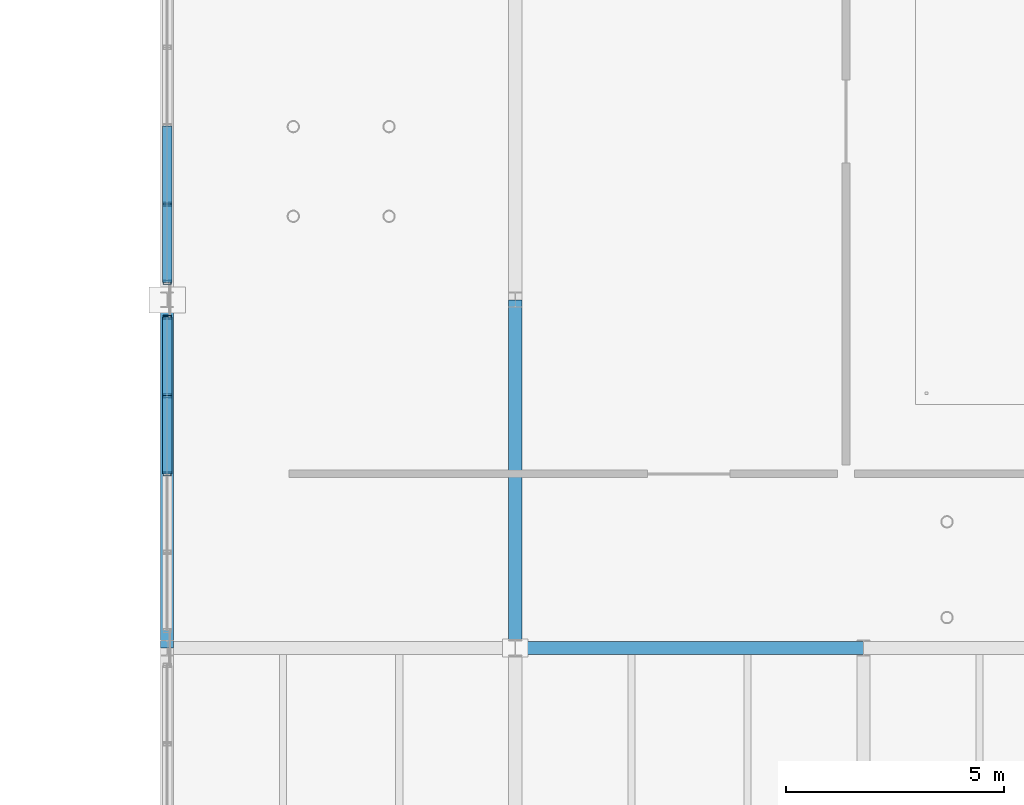
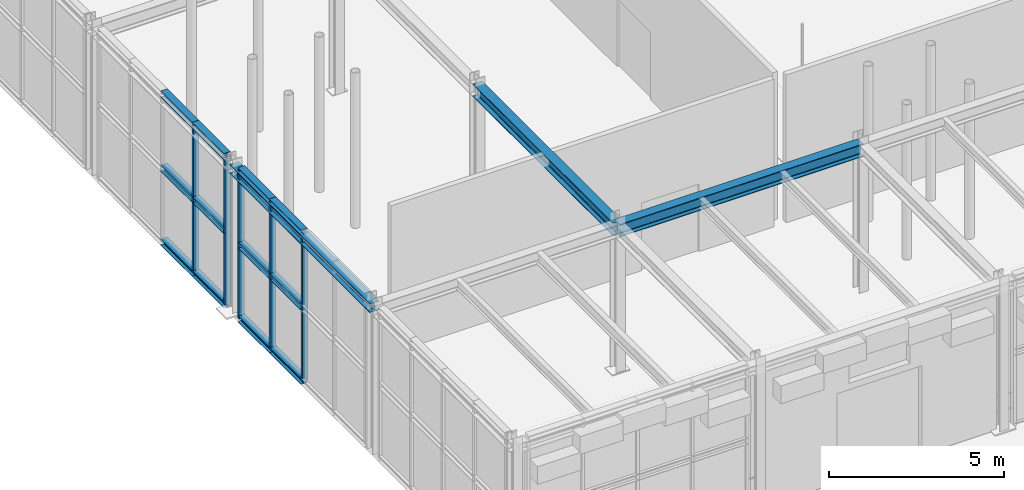
# One storey, part 26 of 129: 17 members, 3 beams, 2 elements without a shape of their own.
"""IFC4 building model written with IfcOpenShell, lengths in metres."""

from ifc_helpers import new_model, si_unit, direction, frame, origin, origin_2d, place, context, subcontext, project, spatial, hollow_rectangle, i_section, extrude, material, material_profile, profile_set, type_object, element, aggregate, save


model = new_model("IFC4")

# Units and contexts
model_context = context("Model", 3, precision=1e-05, world=origin(), true_north=direction((0.0, 1.0)))
body_context = subcontext(model_context, "Body", "Model", "MODEL_VIEW")
ifc_project = project(units=[si_unit("LENGTHUNIT", "METRE"), si_unit("AREAUNIT", "SQUARE_METRE"), si_unit("VOLUMEUNIT", "CUBIC_METRE"), si_unit("PLANEANGLEUNIT", "RADIAN"), si_unit("MASSUNIT", "GRAM", prefix="KILO")], contexts=[model_context])

# Site, building, storey
site_placement = place(None, origin())
site = spatial("IfcSite", under=ifc_project, at=site_placement, CompositionType="ELEMENT")
building_placement = place(site_placement, origin())
building = spatial("IfcBuilding", under=site, at=building_placement, Name="Sundkrona Museum", CompositionType="ELEMENT")
storey_placement = place(building_placement, origin())
storey = spatial("IfcBuildingStorey", under=building, at=storey_placement, Name="L00", CompositionType="ELEMENT", Elevation=0.0)

# Beams
ifc_material_1 = material(Name="Steel S355J2", Category="steel")
ifc_material_profile_1 = material_profile(ifc_material_1, i_section(OverallWidth=0.300048828125, OverallDepth=0.43994140625, WebThickness=0.011474609375, FlangeThickness=0.02099609375, FilletRadius=0.027099609375, at=origin_2d()), Name="HEA 450")
ifc_profile_set_1 = profile_set([ifc_material_profile_1], Name="Steel S355J2")
beam_type_1 = type_object("IfcBeamType", Name="B-HEA450", PredefinedType="BEAM", material=ifc_profile_set_1)
for number, where, z_axis, x_axis, name in (
    (1, (88.0, 8.0, 4.919921875), (1.0, 0.0, 0.0), (0.0, 1.0, 0.0), "L00 Girder X-0435"),
    (2, (88.0, 8.0, 4.919921875), (0.0, 1.0, 0.0), (-1.0, 0.0, 0.0), "L00 Girder Y-0687"),
):
    element("IfcBeam", number, at=place(storey_placement, frame(where, z_axis=z_axis, x_axis=x_axis)), inside=storey, type_object=beam_type_1, Name=name, PredefinedType="BEAM", context=body_context, shape_type="SweptSolid", body=[
        extrude(i_section(OverallWidth=0.300048828125, OverallDepth=0.43994140625, WebThickness=0.011474609375, FlangeThickness=0.02099609375, FilletRadius=0.027099609375, at=origin_2d()), origin(), (0.0, 0.0, 1.0), 8.0),
    ])

# Curtain wall, members
ifc_material_2 = material(Name="Unitised Aluminium-Steel and Ceramic-Clad Curtain Walling", Category="steel")
curtain_wall_type = type_object("IfcCurtainWallType", Name="CW-AT-72x50", PredefinedType="NOTDEFINED", material=ifc_material_2)
curtain_wall_1_placement = place(storey_placement, origin())
curtain_wall_1 = element("IfcCurtainWall", 3, at=curtain_wall_1_placement, inside=storey, type_object=curtain_wall_type, Name="L00 Curtain Wall CW-L00-021", PredefinedType="NOTDEFINED")
ifc_material_3 = material(Name="Aluminium EN AW-6060 T66", Category="aluminium")
ifc_material_profile_2 = material_profile(ifc_material_3, hollow_rectangle(XDim=0.090087890625, YDim=0.179931640625, WallThickness=0.00634765625, at=origin_2d()), Name="RHS 180x90x6.3")
ifc_profile_set_2 = profile_set([ifc_material_profile_2], Name="Aluminium EN AW-6060 T66")
member_type_1 = type_object("IfcMemberType", Name="ML-180", PredefinedType="MULLION", material=ifc_profile_set_2)
member_1_placement = place(storey_placement, frame((80.0, 12.0, -0.00390625), z_axis=(0.0, 0.0, 1.0), x_axis=(0.0, 1.0, 0.0)))
member_1 = element("IfcMember", 4, at=member_1_placement, type_object=member_type_1, Name="CW-L00-021 Mullion 03", PredefinedType="MULLION", context=body_context, shape_type="SweptSolid", body=[
    extrude(hollow_rectangle(XDim=0.090087890625, YDim=0.179931640625, WallThickness=0.00634765625, at=origin_2d()), origin(), (0.0, 0.0, 1.0), 5.14794921875),
])
member_2_placement = place(storey_placement, frame((80.0, 13.800048828125, -0.00390625), z_axis=(0.0, 0.0, 1.0), x_axis=(0.0, 1.0, 0.0)))
member_2 = element("IfcMember", 5, at=member_2_placement, type_object=member_type_1, Name="CW-L00-021 Mullion 04", PredefinedType="MULLION", context=body_context, shape_type="SweptSolid", body=[
    extrude(hollow_rectangle(XDim=0.090087890625, YDim=0.179931640625, WallThickness=0.00634765625, at=origin_2d()), origin(), (0.0, 0.0, 1.0), 5.14794921875),
])
member_3_placement = place(storey_placement, frame((80.0, 15.60009765625, -0.00390625), z_axis=(0.0, 0.0, 1.0), x_axis=(0.0, 1.0, 0.0)))
member_3 = element("IfcMember", 6, at=member_3_placement, type_object=member_type_1, Name="CW-L00-021 Mullion 05", PredefinedType="MULLION", context=body_context, shape_type="SweptSolid", body=[
    extrude(hollow_rectangle(XDim=0.090087890625, YDim=0.179931640625, WallThickness=0.00634765625, at=origin_2d()), origin(), (0.0, 0.0, 1.0), 5.14794921875),
])

curtain_wall_2_placement = place(storey_placement, origin())
curtain_wall_2 = element("IfcCurtainWall", 7, at=curtain_wall_2_placement, inside=storey, type_object=curtain_wall_type, Name="L00 Curtain Wall CW-L00-022", PredefinedType="NOTDEFINED")
member_4_placement = place(storey_placement, frame((80.0, 16.39990234375, -0.00390625), z_axis=(0.0, 0.0, 1.0), x_axis=(0.0, 1.0, 0.0)))
member_4 = element("IfcMember", 8, at=member_4_placement, type_object=member_type_1, Name="CW-L00-022 Mullion 01", PredefinedType="MULLION", context=body_context, shape_type="SweptSolid", body=[
    extrude(hollow_rectangle(XDim=0.090087890625, YDim=0.179931640625, WallThickness=0.00634765625, at=origin_2d()), origin(), (0.0, 0.0, 1.0), 5.14794921875),
])
member_5_placement = place(storey_placement, frame((80.0, 18.199951171875, -0.00390625), z_axis=(0.0, 0.0, 1.0), x_axis=(0.0, 1.0, 0.0)))
member_5 = element("IfcMember", 9, at=member_5_placement, type_object=member_type_1, Name="CW-L00-022 Mullion 02", PredefinedType="MULLION", context=body_context, shape_type="SweptSolid", body=[
    extrude(hollow_rectangle(XDim=0.090087890625, YDim=0.179931640625, WallThickness=0.00634765625, at=origin_2d()), origin(), (0.0, 0.0, 1.0), 5.14794921875),
])

# Beam
ifc_material_profile_3 = material_profile(ifc_material_1, i_section(OverallWidth=0.300048828125, OverallDepth=0.320068359375, WebThickness=0.011474609375, FlangeThickness=0.0205078125, FilletRadius=0.027099609375, at=origin_2d()), Name="HEB 320")
ifc_profile_set_3 = profile_set([ifc_material_profile_3], Name="Steel S355J2")
beam_type_2 = type_object("IfcBeamType", Name="SP-HEB320", PredefinedType="SPANDREL", material=ifc_profile_set_3)
beam_placement = place(storey_placement, frame((80.0, 8.0, 4.97998046875), z_axis=(0.0, 1.0, 0.0), x_axis=(-1.0, 0.0, 0.0)))
element("IfcBeam", 10, at=beam_placement, inside=storey, type_object=beam_type_2, Name="L00 Girder Y-0672", PredefinedType="SPANDREL", context=body_context, shape_type="SweptSolid", body=[
    extrude(i_section(OverallWidth=0.300048828125, OverallDepth=0.320068359375, WebThickness=0.011474609375, FlangeThickness=0.0205078125, FilletRadius=0.027099609375, at=origin_2d()), origin(), (0.0, 0.0, 1.0), 8.0),
])

# Member
ifc_material_profile_4 = material_profile(ifc_material_1, i_section(OverallWidth=0.219970703125, OverallDepth=0.219970703125, WebThickness=0.009521484375, FlangeThickness=0.01611328125, FilletRadius=0.01806640625, at=origin_2d()), Name="HEB 220")
ifc_profile_set_4 = profile_set([ifc_material_profile_4], Name="Steel S355J2")
member_type_2 = type_object("IfcMemberType", Name="TR-HEB220", PredefinedType="USERDEFINED", material=ifc_profile_set_4)
member_6_placement = place(storey_placement, frame((80.0, 12.0, -0.00390625), z_axis=(0.0, 1.0, 0.0), x_axis=(-1.0, 0.0, 0.0)))
member_6 = element("IfcMember", 11, at=member_6_placement, type_object=member_type_2, Name="CW-L00-021 Transom 07", ObjectType="TRANSOM", PredefinedType="USERDEFINED", context=body_context, shape_type="SweptSolid", body=[
    extrude(i_section(OverallWidth=0.219970703125, OverallDepth=0.219970703125, WebThickness=0.009521484375, FlangeThickness=0.01611328125, FilletRadius=0.01806640625, at=origin_2d()), origin(), (0.0, 0.0, 1.0), 1.800048828125),
])

member_7_placement = place(storey_placement, frame((80.0, 12.0, 2.570068359375), z_axis=(0.0, 1.0, 0.0), x_axis=(-1.0, 0.0, 0.0)))
member_7 = element("IfcMember", 12, at=member_7_placement, type_object=member_type_2, Name="CW-L00-021 Transom 08", ObjectType="TRANSOM", PredefinedType="USERDEFINED", context=body_context, shape_type="SweptSolid", body=[
    extrude(i_section(OverallWidth=0.219970703125, OverallDepth=0.219970703125, WebThickness=0.009521484375, FlangeThickness=0.01611328125, FilletRadius=0.01806640625, at=origin_2d()), origin(), (0.0, 0.0, 1.0), 1.800048828125),
])

member_8_placement = place(storey_placement, frame((80.0, 12.0, 5.14404296875), z_axis=(0.0, 1.0, 0.0), x_axis=(-1.0, 0.0, 0.0)))
member_8 = element("IfcMember", 13, at=member_8_placement, type_object=member_type_2, Name="CW-L00-021 Transom 09", ObjectType="TRANSOM", PredefinedType="USERDEFINED", context=body_context, shape_type="SweptSolid", body=[
    extrude(i_section(OverallWidth=0.219970703125, OverallDepth=0.219970703125, WebThickness=0.009521484375, FlangeThickness=0.01611328125, FilletRadius=0.01806640625, at=origin_2d()), origin(), (0.0, 0.0, 1.0), 1.800048828125),
])

member_9_placement = place(storey_placement, frame((80.0, 13.800048828125, -0.00390625), z_axis=(0.0, 1.0, 0.0), x_axis=(-1.0, 0.0, 0.0)))
member_9 = element("IfcMember", 14, at=member_9_placement, type_object=member_type_2, Name="CW-L00-021 Transom 10", ObjectType="TRANSOM", PredefinedType="USERDEFINED", context=body_context, shape_type="SweptSolid", body=[
    extrude(i_section(OverallWidth=0.219970703125, OverallDepth=0.219970703125, WebThickness=0.009521484375, FlangeThickness=0.01611328125, FilletRadius=0.01806640625, at=origin_2d()), origin(), (0.0, 0.0, 1.0), 1.800048828125),
])

member_10_placement = place(storey_placement, frame((80.0, 13.800048828125, 2.570068359375), z_axis=(0.0, 1.0, 0.0), x_axis=(-1.0, 0.0, 0.0)))
member_10 = element("IfcMember", 15, at=member_10_placement, type_object=member_type_2, Name="CW-L00-021 Transom 11", ObjectType="TRANSOM", PredefinedType="USERDEFINED", context=body_context, shape_type="SweptSolid", body=[
    extrude(i_section(OverallWidth=0.219970703125, OverallDepth=0.219970703125, WebThickness=0.009521484375, FlangeThickness=0.01611328125, FilletRadius=0.01806640625, at=origin_2d()), origin(), (0.0, 0.0, 1.0), 1.800048828125),
])

member_11_placement = place(storey_placement, frame((80.0, 13.800048828125, 5.14404296875), z_axis=(0.0, 1.0, 0.0), x_axis=(-1.0, 0.0, 0.0)))
member_11 = element("IfcMember", 16, at=member_11_placement, type_object=member_type_2, Name="CW-L00-021 Transom 12", ObjectType="TRANSOM", PredefinedType="USERDEFINED", context=body_context, shape_type="SweptSolid", body=[
    extrude(i_section(OverallWidth=0.219970703125, OverallDepth=0.219970703125, WebThickness=0.009521484375, FlangeThickness=0.01611328125, FilletRadius=0.01806640625, at=origin_2d()), origin(), (0.0, 0.0, 1.0), 1.800048828125),
])

aggregate(curtain_wall_1, [member_1, member_2, member_3, member_6, member_7, member_8, member_9, member_10, member_11])

member_12_placement = place(storey_placement, frame((80.0, 16.39990234375, -0.00390625), z_axis=(0.0, 1.0, 0.0), x_axis=(-1.0, 0.0, 0.0)))
member_12 = element("IfcMember", 17, at=member_12_placement, type_object=member_type_2, Name="CW-L00-022 Transom 01", ObjectType="TRANSOM", PredefinedType="USERDEFINED", context=body_context, shape_type="SweptSolid", body=[
    extrude(i_section(OverallWidth=0.219970703125, OverallDepth=0.219970703125, WebThickness=0.009521484375, FlangeThickness=0.01611328125, FilletRadius=0.01806640625, at=origin_2d()), origin(), (0.0, 0.0, 1.0), 1.800048828125),
])

member_13_placement = place(storey_placement, frame((80.0, 16.39990234375, 2.570068359375), z_axis=(0.0, 1.0, 0.0), x_axis=(-1.0, 0.0, 0.0)))
member_13 = element("IfcMember", 18, at=member_13_placement, type_object=member_type_2, Name="CW-L00-022 Transom 02", ObjectType="TRANSOM", PredefinedType="USERDEFINED", context=body_context, shape_type="SweptSolid", body=[
    extrude(i_section(OverallWidth=0.219970703125, OverallDepth=0.219970703125, WebThickness=0.009521484375, FlangeThickness=0.01611328125, FilletRadius=0.01806640625, at=origin_2d()), origin(), (0.0, 0.0, 1.0), 1.800048828125),
])

member_14_placement = place(storey_placement, frame((80.0, 16.39990234375, 5.14404296875), z_axis=(0.0, 1.0, 0.0), x_axis=(-1.0, 0.0, 0.0)))
member_14 = element("IfcMember", 19, at=member_14_placement, type_object=member_type_2, Name="CW-L00-022 Transom 03", ObjectType="TRANSOM", PredefinedType="USERDEFINED", context=body_context, shape_type="SweptSolid", body=[
    extrude(i_section(OverallWidth=0.219970703125, OverallDepth=0.219970703125, WebThickness=0.009521484375, FlangeThickness=0.01611328125, FilletRadius=0.01806640625, at=origin_2d()), origin(), (0.0, 0.0, 1.0), 1.800048828125),
])

member_15_placement = place(storey_placement, frame((80.0, 18.199951171875, -0.00390625), z_axis=(0.0, 1.0, 0.0), x_axis=(-1.0, 0.0, 0.0)))
member_15 = element("IfcMember", 20, at=member_15_placement, type_object=member_type_2, Name="CW-L00-022 Transom 04", ObjectType="TRANSOM", PredefinedType="USERDEFINED", context=body_context, shape_type="SweptSolid", body=[
    extrude(i_section(OverallWidth=0.219970703125, OverallDepth=0.219970703125, WebThickness=0.009521484375, FlangeThickness=0.01611328125, FilletRadius=0.01806640625, at=origin_2d()), origin(), (0.0, 0.0, 1.0), 1.800048828125),
])

member_16_placement = place(storey_placement, frame((80.0, 18.199951171875, 2.570068359375), z_axis=(0.0, 1.0, 0.0), x_axis=(-1.0, 0.0, 0.0)))
member_16 = element("IfcMember", 21, at=member_16_placement, type_object=member_type_2, Name="CW-L00-022 Transom 05", ObjectType="TRANSOM", PredefinedType="USERDEFINED", context=body_context, shape_type="SweptSolid", body=[
    extrude(i_section(OverallWidth=0.219970703125, OverallDepth=0.219970703125, WebThickness=0.009521484375, FlangeThickness=0.01611328125, FilletRadius=0.01806640625, at=origin_2d()), origin(), (0.0, 0.0, 1.0), 1.800048828125),
])

member_17_placement = place(storey_placement, frame((80.0, 18.199951171875, 5.14404296875), z_axis=(0.0, 1.0, 0.0), x_axis=(-1.0, 0.0, 0.0)))
member_17 = element("IfcMember", 22, at=member_17_placement, type_object=member_type_2, Name="CW-L00-022 Transom 06", ObjectType="TRANSOM", PredefinedType="USERDEFINED", context=body_context, shape_type="SweptSolid", body=[
    extrude(i_section(OverallWidth=0.219970703125, OverallDepth=0.219970703125, WebThickness=0.009521484375, FlangeThickness=0.01611328125, FilletRadius=0.01806640625, at=origin_2d()), origin(), (0.0, 0.0, 1.0), 1.800048828125),
])

aggregate(curtain_wall_2, [member_4, member_5, member_12, member_13, member_14, member_15, member_16, member_17])

save(model, "model.ifc")
